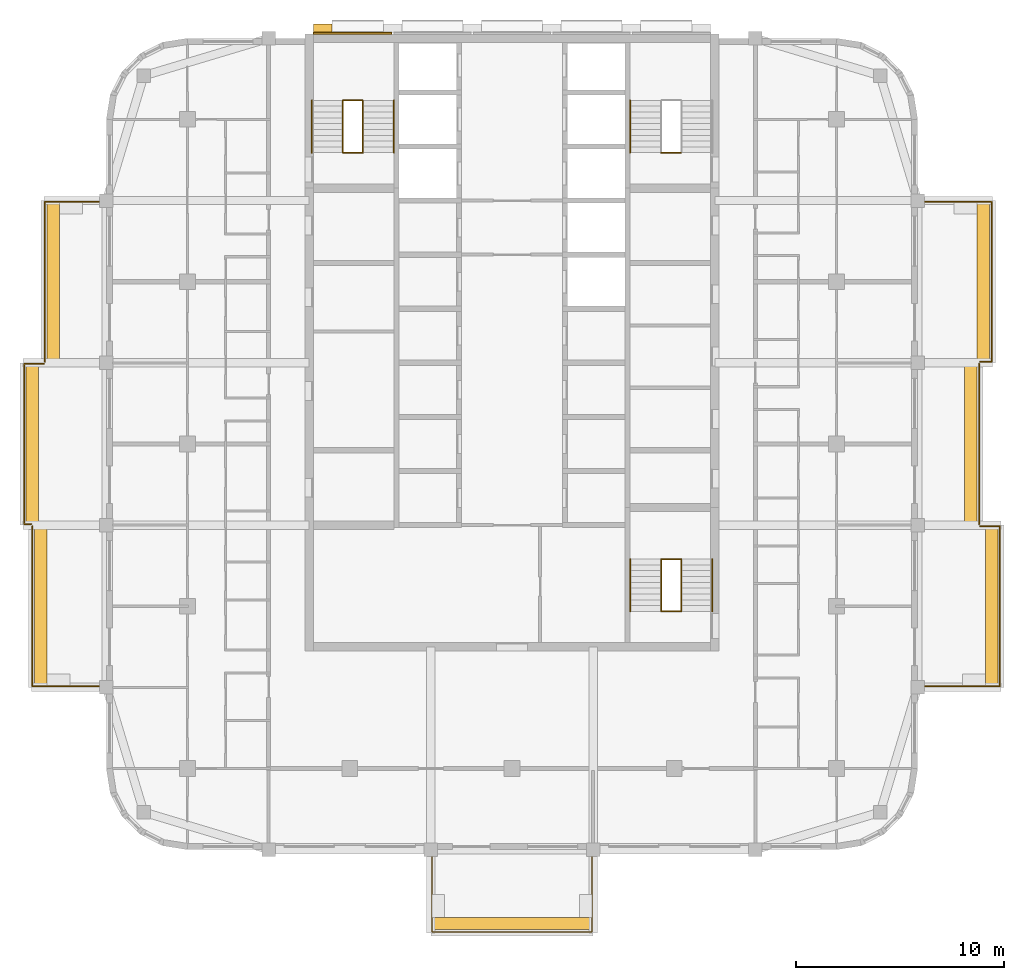
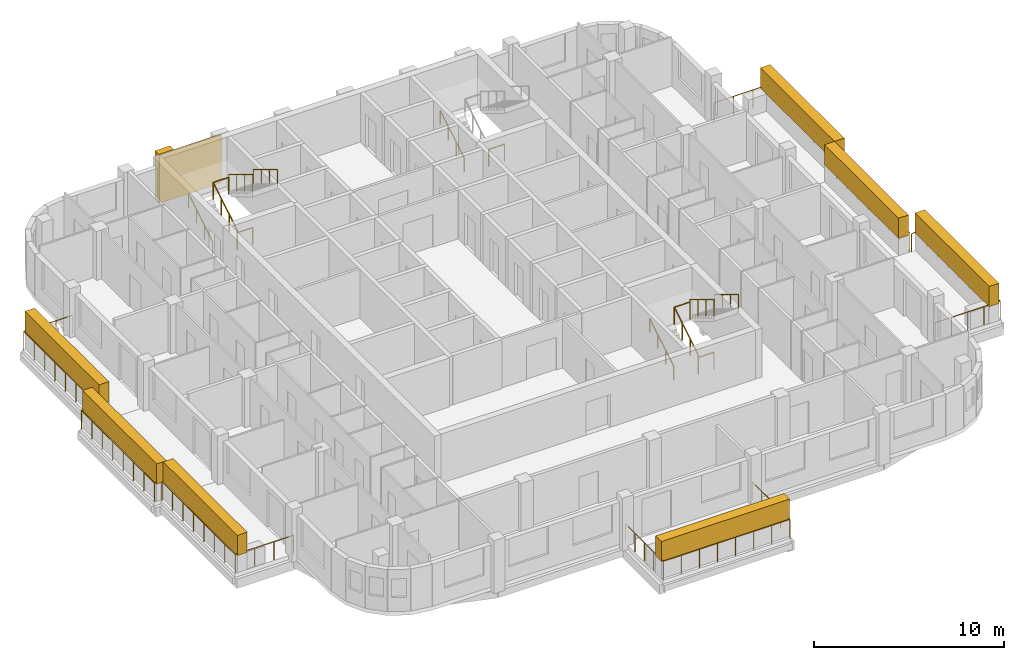
# One storey, part 12 of 13: 21 railings, 9 coverings, 3 elements without a shape of their own.
"""IFC4 building model written with IfcOpenShell, lengths in metres."""

from ifc_helpers import new_model, si_unit, direction, frame, origin, origin_2d, place, context, subcontext, project, spatial, rectangle, circle, extrude, material, layer, layer_set, type_object, element, aggregate, save


model = new_model("IFC4")

# Units and contexts
model_context = context("Model", 3, precision=1e-05, world=origin(), true_north=direction((0.0, 1.0)))
body_context = subcontext(model_context, "Body", "Model", "MODEL_VIEW")
ifc_project = project(units=[si_unit("LENGTHUNIT", "METRE"), si_unit("AREAUNIT", "SQUARE_METRE"), si_unit("VOLUMEUNIT", "CUBIC_METRE"), si_unit("PLANEANGLEUNIT", "RADIAN"), si_unit("MASSUNIT", "GRAM", prefix="KILO")], contexts=[model_context])

# Site, building, storey
site_placement = place(None, origin())
site = spatial("IfcSite", under=ifc_project, at=site_placement, CompositionType="ELEMENT")
building_placement = place(site_placement, origin())
building = spatial("IfcBuilding", under=site, at=building_placement, Name="Ludao Terraces", CompositionType="ELEMENT")
storey_placement = place(building_placement, frame((0.0, 0.0, 249.39990234375)))
storey = spatial("IfcBuildingStorey", under=building, at=storey_placement, Name="L68", CompositionType="ELEMENT", Elevation=249.39990234375)

# Railings
ifc_material_1 = material(Name="Stainless steel 304", Category="steel")
railing_type_1 = type_object("IfcRailingType", Name="ENV Balcony glass guard 1200", PredefinedType="GUARDRAIL", material=ifc_material_1)
railing_1_placement = place(storey_placement, frame((81.14990234375, 45.5, 0.0)))
element("IfcRailing", 1, at=railing_1_placement, inside=storey, type_object=railing_type_1, Name="Balcony guard L68 S1", PredefinedType="GUARDRAIL", context=body_context, shape_type="SweptSolid", body=[
    extrude(circle(Radius=0.02392578125, at=origin_2d()), frame((0.0, 0.0, 1.17578125), z_axis=(0.0, -1.0, 0.0), x_axis=(1.0, 0.0, 0.0)), (0.0, 0.0, 1.0), 3.949951171875),
    extrude(circle(Radius=0.02392578125, at=origin_2d()), frame((0.0, -3.949951171875, 1.17578125), z_axis=(1.0, 0.0, 0.0), x_axis=(0.0, 1.0, 0.0)), (0.0, 0.0, 1.0), 7.7001953125),
    extrude(circle(Radius=0.02392578125, at=origin_2d()), frame((7.7001953125, -3.949951171875, 1.17578125), z_axis=(0.0, 1.0, 0.0), x_axis=(-1.0, 0.0, 0.0)), (0.0, 0.0, 1.0), 3.949951171875),
    extrude(circle(Radius=0.02099609375, at=origin_2d()), origin(), (0.0, 0.0, 1.0), 1.15185546875),
    extrude(circle(Radius=0.02099609375, at=origin_2d()), frame((0.0, -0.987548828125, 0.0)), (0.0, 0.0, 1.0), 1.15185546875),
    extrude(circle(Radius=0.02099609375, at=origin_2d()), frame((0.0, -1.97509765625, 0.0)), (0.0, 0.0, 1.0), 1.15185546875),
    extrude(circle(Radius=0.02099609375, at=origin_2d()), frame((0.0, -2.96240234375, 0.0)), (0.0, 0.0, 1.0), 1.15185546875),
    extrude(circle(Radius=0.02099609375, at=origin_2d()), frame((0.0, -3.949951171875, 0.0)), (0.0, 0.0, 1.0), 1.15185546875),
    extrude(circle(Radius=0.02099609375, at=origin_2d()), frame((1.10009765625, -3.949951171875, 0.0)), (0.0, 0.0, 1.0), 1.15185546875),
    extrude(circle(Radius=0.02099609375, at=origin_2d()), frame((2.199951171875, -3.949951171875, 0.0)), (0.0, 0.0, 1.0), 1.15185546875),
    extrude(circle(Radius=0.02099609375, at=origin_2d()), frame((3.300048828125, -3.949951171875, 0.0)), (0.0, 0.0, 1.0), 1.15185546875),
    extrude(circle(Radius=0.02099609375, at=origin_2d()), frame((4.400146484375, -3.949951171875, 0.0)), (0.0, 0.0, 1.0), 1.15185546875),
    extrude(circle(Radius=0.02099609375, at=origin_2d()), frame((5.500244140625, -3.949951171875, 0.0)), (0.0, 0.0, 1.0), 1.15185546875),
    extrude(circle(Radius=0.02099609375, at=origin_2d()), frame((6.60009765625, -3.949951171875, 0.0)), (0.0, 0.0, 1.0), 1.15185546875),
    extrude(circle(Radius=0.02099609375, at=origin_2d()), frame((7.7001953125, -3.949951171875, 0.0)), (0.0, 0.0, 1.0), 1.15185546875),
    extrude(circle(Radius=0.02099609375, at=origin_2d()), frame((7.7001953125, -2.96240234375, 0.0)), (0.0, 0.0, 1.0), 1.15185546875),
    extrude(circle(Radius=0.02099609375, at=origin_2d()), frame((7.7001953125, -1.97509765625, 0.0)), (0.0, 0.0, 1.0), 1.15185546875),
    extrude(circle(Radius=0.02099609375, at=origin_2d()), frame((7.7001953125, -0.987548828125, 0.0)), (0.0, 0.0, 1.0), 1.15185546875),
    extrude(circle(Radius=0.02099609375, at=origin_2d()), frame((7.7001953125, 0.0, 0.0)), (0.0, 0.0, 1.0), 1.15185546875),
])
railing_2_placement = place(storey_placement, frame((104.5, 53.35009765625, 0.0)))
element("IfcRailing", 2, at=railing_2_placement, inside=storey, type_object=railing_type_1, Name="Balcony guard L68 E1", PredefinedType="GUARDRAIL", context=body_context, shape_type="SweptSolid", body=[
    extrude(circle(Radius=0.02392578125, at=origin_2d()), frame((0.0, 0.0, 1.17578125), z_axis=(1.0, 0.0, 0.0), x_axis=(0.0, 1.0, 0.0)), (0.0, 0.0, 1.0), 3.949951171875),
    extrude(circle(Radius=0.02392578125, at=origin_2d()), frame((3.949951171875, 0.0, 1.17578125), z_axis=(0.0, 1.0, 0.0), x_axis=(-1.0, 0.0, 0.0)), (0.0, 0.0, 1.0), 7.699951171875),
    extrude(circle(Radius=0.02392578125, at=origin_2d()), frame((3.949951171875, 7.699951171875, 1.17578125), z_axis=(-1.0, 0.0, 0.0), x_axis=(0.0, -1.0, 0.0)), (0.0, 0.0, 1.0), 0.949951171875),
    extrude(circle(Radius=0.02099609375, at=origin_2d()), origin(), (0.0, 0.0, 1.0), 1.15185546875),
    extrude(circle(Radius=0.02099609375, at=origin_2d()), frame((0.987548828125, 0.0, 0.0)), (0.0, 0.0, 1.0), 1.15185546875),
    extrude(circle(Radius=0.02099609375, at=origin_2d()), frame((1.97509765625, 0.0, 0.0)), (0.0, 0.0, 1.0), 1.15185546875),
    extrude(circle(Radius=0.02099609375, at=origin_2d()), frame((2.96240234375, 0.0, 0.0)), (0.0, 0.0, 1.0), 1.15185546875),
    extrude(circle(Radius=0.02099609375, at=origin_2d()), frame((3.949951171875, 0.0, 0.0)), (0.0, 0.0, 1.0), 1.15185546875),
    extrude(circle(Radius=0.02099609375, at=origin_2d()), frame((3.949951171875, 1.10009765625, 0.0)), (0.0, 0.0, 1.0), 1.15185546875),
    extrude(circle(Radius=0.02099609375, at=origin_2d()), frame((3.949951171875, 2.199951171875, 0.0)), (0.0, 0.0, 1.0), 1.15185546875),
    extrude(circle(Radius=0.02099609375, at=origin_2d()), frame((3.949951171875, 3.300048828125, 0.0)), (0.0, 0.0, 1.0), 1.15185546875),
    extrude(circle(Radius=0.02099609375, at=origin_2d()), frame((3.949951171875, 4.39990234375, 0.0)), (0.0, 0.0, 1.0), 1.15185546875),
    extrude(circle(Radius=0.02099609375, at=origin_2d()), frame((3.949951171875, 5.5, 0.0)), (0.0, 0.0, 1.0), 1.15185546875),
    extrude(circle(Radius=0.02099609375, at=origin_2d()), frame((3.949951171875, 6.599853515625, 0.0)), (0.0, 0.0, 1.0), 1.15185546875),
    extrude(circle(Radius=0.02099609375, at=origin_2d()), frame((3.949951171875, 7.699951171875, 0.0)), (0.0, 0.0, 1.0), 1.15185546875),
    extrude(circle(Radius=0.02099609375, at=origin_2d()), frame((3.0, 7.699951171875, 0.0)), (0.0, 0.0, 1.0), 1.15185546875),
])
railing_3_placement = place(storey_placement, frame((107.449951171875, 61.14990234375, 0.0)))
element("IfcRailing", 3, at=railing_3_placement, inside=storey, type_object=railing_type_1, Name="Balcony guard L68 E2", PredefinedType="GUARDRAIL", context=body_context, shape_type="SweptSolid", body=[
    extrude(circle(Radius=0.02392578125, at=origin_2d()), frame((0.0, 0.0, 1.17578125), z_axis=(0.0, 1.0, 0.0), x_axis=(-1.0, 0.0, 0.0)), (0.0, 0.0, 1.0), 7.7001953125),
    extrude(circle(Radius=0.02099609375, at=origin_2d()), origin(), (0.0, 0.0, 1.0), 1.15185546875),
    extrude(circle(Radius=0.02099609375, at=origin_2d()), frame((0.0, 1.10009765625, 0.0)), (0.0, 0.0, 1.0), 1.15185546875),
    extrude(circle(Radius=0.02099609375, at=origin_2d()), frame((0.0, 2.199951171875, 0.0)), (0.0, 0.0, 1.0), 1.15185546875),
    extrude(circle(Radius=0.02099609375, at=origin_2d()), frame((0.0, 3.300048828125, 0.0)), (0.0, 0.0, 1.0), 1.15185546875),
    extrude(circle(Radius=0.02099609375, at=origin_2d()), frame((0.0, 4.400146484375, 0.0)), (0.0, 0.0, 1.0), 1.15185546875),
    extrude(circle(Radius=0.02099609375, at=origin_2d()), frame((0.0, 5.500244140625, 0.0)), (0.0, 0.0, 1.0), 1.15185546875),
    extrude(circle(Radius=0.02099609375, at=origin_2d()), frame((0.0, 6.60009765625, 0.0)), (0.0, 0.0, 1.0), 1.15185546875),
    extrude(circle(Radius=0.02099609375, at=origin_2d()), frame((0.0, 7.7001953125, 0.0)), (0.0, 0.0, 1.0), 1.15185546875),
])
railing_4_placement = place(storey_placement, frame((107.5, 68.949951171875, 0.0)))
element("IfcRailing", 4, at=railing_4_placement, inside=storey, type_object=railing_type_1, Name="Balcony guard L68 E3", PredefinedType="GUARDRAIL", context=body_context, shape_type="SweptSolid", body=[
    extrude(circle(Radius=0.02392578125, at=origin_2d()), frame((0.0, 0.0, 1.17578125), z_axis=(1.0, 0.0, 0.0), x_axis=(0.0, 1.0, 0.0)), (0.0, 0.0, 1.0), 0.550048828125),
    extrude(circle(Radius=0.02392578125, at=origin_2d()), frame((0.550048828125, 0.0, 1.17578125), z_axis=(0.0, 1.0, 0.0), x_axis=(-1.0, 0.0, 0.0)), (0.0, 0.0, 1.0), 7.699951171875),
    extrude(circle(Radius=0.02392578125, at=origin_2d()), frame((0.550048828125, 7.699951171875, 1.17578125), z_axis=(-1.0, 0.0, 0.0), x_axis=(0.0, -1.0, 0.0)), (0.0, 0.0, 1.0), 3.550048828125),
    extrude(circle(Radius=0.02099609375, at=origin_2d()), origin(), (0.0, 0.0, 1.0), 1.15185546875),
    extrude(circle(Radius=0.02099609375, at=origin_2d()), frame((0.550048828125, 0.0, 0.0)), (0.0, 0.0, 1.0), 1.15185546875),
    extrude(circle(Radius=0.02099609375, at=origin_2d()), frame((0.550048828125, 1.10009765625, 0.0)), (0.0, 0.0, 1.0), 1.15185546875),
    extrude(circle(Radius=0.02099609375, at=origin_2d()), frame((0.550048828125, 2.199951171875, 0.0)), (0.0, 0.0, 1.0), 1.15185546875),
    extrude(circle(Radius=0.02099609375, at=origin_2d()), frame((0.550048828125, 3.300048828125, 0.0)), (0.0, 0.0, 1.0), 1.15185546875),
    extrude(circle(Radius=0.02099609375, at=origin_2d()), frame((0.550048828125, 4.39990234375, 0.0)), (0.0, 0.0, 1.0), 1.15185546875),
    extrude(circle(Radius=0.02099609375, at=origin_2d()), frame((0.550048828125, 5.5, 0.0)), (0.0, 0.0, 1.0), 1.15185546875),
    extrude(circle(Radius=0.02099609375, at=origin_2d()), frame((0.550048828125, 6.599853515625, 0.0)), (0.0, 0.0, 1.0), 1.15185546875),
    extrude(circle(Radius=0.02099609375, at=origin_2d()), frame((0.550048828125, 7.699951171875, 0.0)), (0.0, 0.0, 1.0), 1.15185546875),
    extrude(circle(Radius=0.02099609375, at=origin_2d()), frame((-0.63330078125, 7.699951171875, 0.0)), (0.0, 0.0, 1.0), 1.15185546875),
    extrude(circle(Radius=0.02099609375, at=origin_2d()), frame((-1.816650390625, 7.699951171875, 0.0)), (0.0, 0.0, 1.0), 1.15185546875),
    extrude(circle(Radius=0.02099609375, at=origin_2d()), frame((-3.0, 7.699951171875, 0.0)), (0.0, 0.0, 1.0), 1.15185546875),
])
railing_5_placement = place(storey_placement, frame((65.5, 53.35009765625, 0.0)))
element("IfcRailing", 5, at=railing_5_placement, inside=storey, type_object=railing_type_1, Name="Balcony guard L68 W1", PredefinedType="GUARDRAIL", context=body_context, shape_type="SweptSolid", body=[
    extrude(circle(Radius=0.02392578125, at=origin_2d()), frame((0.0, 0.0, 1.17578125), z_axis=(-1.0, 0.0, 0.0), x_axis=(0.0, -1.0, 0.0)), (0.0, 0.0, 1.0), 3.550048828125),
    extrude(circle(Radius=0.02392578125, at=origin_2d()), frame((-3.550048828125, 0.0, 1.17578125), z_axis=(0.0, 1.0, 0.0), x_axis=(-1.0, 0.0, 0.0)), (0.0, 0.0, 1.0), 7.699951171875),
    extrude(circle(Radius=0.02099609375, at=origin_2d()), origin(), (0.0, 0.0, 1.0), 1.15185546875),
    extrude(circle(Radius=0.02099609375, at=origin_2d()), frame((-1.183349609375, 0.0, 0.0)), (0.0, 0.0, 1.0), 1.15185546875),
    extrude(circle(Radius=0.02099609375, at=origin_2d()), frame((-2.36669921875, 0.0, 0.0)), (0.0, 0.0, 1.0), 1.15185546875),
    extrude(circle(Radius=0.02099609375, at=origin_2d()), frame((-3.550048828125, 0.0, 0.0)), (0.0, 0.0, 1.0), 1.15185546875),
    extrude(circle(Radius=0.02099609375, at=origin_2d()), frame((-3.550048828125, 1.10009765625, 0.0)), (0.0, 0.0, 1.0), 1.15185546875),
    extrude(circle(Radius=0.02099609375, at=origin_2d()), frame((-3.550048828125, 2.199951171875, 0.0)), (0.0, 0.0, 1.0), 1.15185546875),
    extrude(circle(Radius=0.02099609375, at=origin_2d()), frame((-3.550048828125, 3.300048828125, 0.0)), (0.0, 0.0, 1.0), 1.15185546875),
    extrude(circle(Radius=0.02099609375, at=origin_2d()), frame((-3.550048828125, 4.39990234375, 0.0)), (0.0, 0.0, 1.0), 1.15185546875),
    extrude(circle(Radius=0.02099609375, at=origin_2d()), frame((-3.550048828125, 5.5, 0.0)), (0.0, 0.0, 1.0), 1.15185546875),
    extrude(circle(Radius=0.02099609375, at=origin_2d()), frame((-3.550048828125, 6.599853515625, 0.0)), (0.0, 0.0, 1.0), 1.15185546875),
    extrude(circle(Radius=0.02099609375, at=origin_2d()), frame((-3.550048828125, 7.699951171875, 0.0)), (0.0, 0.0, 1.0), 1.15185546875),
])
railing_6_placement = place(storey_placement, frame((61.89990234375, 61.14990234375, 0.0)))
element("IfcRailing", 6, at=railing_6_placement, inside=storey, type_object=railing_type_1, Name="Balcony guard L68 W2", PredefinedType="GUARDRAIL", context=body_context, shape_type="SweptSolid", body=[
    extrude(circle(Radius=0.02392578125, at=origin_2d()), frame((0.0, 0.0, 1.17578125), z_axis=(-1.0, 0.0, 0.0), x_axis=(0.0, -1.0, 0.0)), (0.0, 0.0, 1.0), 0.349853515625),
    extrude(circle(Radius=0.02392578125, at=origin_2d()), frame((-0.349853515625, 0.0, 1.17578125), z_axis=(0.0, 1.0, 0.0), x_axis=(-1.0, 0.0, 0.0)), (0.0, 0.0, 1.0), 7.7001953125),
    extrude(circle(Radius=0.02392578125, at=origin_2d()), frame((-0.349853515625, 7.7001953125, 1.17578125), z_axis=(1.0, 0.0, 0.0), x_axis=(0.0, 1.0, 0.0)), (0.0, 0.0, 1.0), 0.949951171875),
    extrude(circle(Radius=0.02099609375, at=origin_2d()), origin(), (0.0, 0.0, 1.0), 1.15185546875),
    extrude(circle(Radius=0.02099609375, at=origin_2d()), frame((-0.349853515625, 0.0, 0.0)), (0.0, 0.0, 1.0), 1.15185546875),
    extrude(circle(Radius=0.02099609375, at=origin_2d()), frame((-0.349853515625, 1.10009765625, 0.0)), (0.0, 0.0, 1.0), 1.15185546875),
    extrude(circle(Radius=0.02099609375, at=origin_2d()), frame((-0.349853515625, 2.199951171875, 0.0)), (0.0, 0.0, 1.0), 1.15185546875),
    extrude(circle(Radius=0.02099609375, at=origin_2d()), frame((-0.349853515625, 3.300048828125, 0.0)), (0.0, 0.0, 1.0), 1.15185546875),
    extrude(circle(Radius=0.02099609375, at=origin_2d()), frame((-0.349853515625, 4.400146484375, 0.0)), (0.0, 0.0, 1.0), 1.15185546875),
    extrude(circle(Radius=0.02099609375, at=origin_2d()), frame((-0.349853515625, 5.500244140625, 0.0)), (0.0, 0.0, 1.0), 1.15185546875),
    extrude(circle(Radius=0.02099609375, at=origin_2d()), frame((-0.349853515625, 6.60009765625, 0.0)), (0.0, 0.0, 1.0), 1.15185546875),
    extrude(circle(Radius=0.02099609375, at=origin_2d()), frame((-0.349853515625, 7.7001953125, 0.0)), (0.0, 0.0, 1.0), 1.15185546875),
    extrude(circle(Radius=0.02099609375, at=origin_2d()), frame((0.60009765625, 7.7001953125, 0.0)), (0.0, 0.0, 1.0), 1.15185546875),
])
railing_7_placement = place(storey_placement, frame((62.550048828125, 68.949951171875, 0.0)))
element("IfcRailing", 7, at=railing_7_placement, inside=storey, type_object=railing_type_1, Name="Balcony guard L68 W3", PredefinedType="GUARDRAIL", context=body_context, shape_type="SweptSolid", body=[
    extrude(circle(Radius=0.02392578125, at=origin_2d()), frame((0.0, 0.0, 1.17578125), z_axis=(0.0, 1.0, 0.0), x_axis=(-1.0, 0.0, 0.0)), (0.0, 0.0, 1.0), 7.699951171875),
    extrude(circle(Radius=0.02392578125, at=origin_2d()), frame((0.0, 7.699951171875, 1.17578125), z_axis=(1.0, 0.0, 0.0), x_axis=(0.0, 1.0, 0.0)), (0.0, 0.0, 1.0), 2.949951171875),
    extrude(circle(Radius=0.02099609375, at=origin_2d()), origin(), (0.0, 0.0, 1.0), 1.15185546875),
    extrude(circle(Radius=0.02099609375, at=origin_2d()), frame((0.0, 1.10009765625, 0.0)), (0.0, 0.0, 1.0), 1.15185546875),
    extrude(circle(Radius=0.02099609375, at=origin_2d()), frame((0.0, 2.199951171875, 0.0)), (0.0, 0.0, 1.0), 1.15185546875),
    extrude(circle(Radius=0.02099609375, at=origin_2d()), frame((0.0, 3.300048828125, 0.0)), (0.0, 0.0, 1.0), 1.15185546875),
    extrude(circle(Radius=0.02099609375, at=origin_2d()), frame((0.0, 4.39990234375, 0.0)), (0.0, 0.0, 1.0), 1.15185546875),
    extrude(circle(Radius=0.02099609375, at=origin_2d()), frame((0.0, 5.5, 0.0)), (0.0, 0.0, 1.0), 1.15185546875),
    extrude(circle(Radius=0.02099609375, at=origin_2d()), frame((0.0, 6.599853515625, 0.0)), (0.0, 0.0, 1.0), 1.15185546875),
    extrude(circle(Radius=0.02099609375, at=origin_2d()), frame((0.0, 7.699951171875, 0.0)), (0.0, 0.0, 1.0), 1.15185546875),
    extrude(circle(Radius=0.02099609375, at=origin_2d()), frame((0.9833984375, 7.699951171875, 0.0)), (0.0, 0.0, 1.0), 1.15185546875),
    extrude(circle(Radius=0.02099609375, at=origin_2d()), frame((1.966552734375, 7.699951171875, 0.0)), (0.0, 0.0, 1.0), 1.15185546875),
    extrude(circle(Radius=0.02099609375, at=origin_2d()), frame((2.949951171875, 7.699951171875, 0.0)), (0.0, 0.0, 1.0), 1.15185546875),
])

# Coverings
ifc_material_2 = material(Name="Granite cladding", Category="masonry")
ifc_layer_1 = layer(ifc_material_2, 0.39990234375)
ifc_layer_set_1 = layer_set([ifc_layer_1], Name="ENV Core pilaster stone 400")
covering_type_1 = type_object("IfcCoveringType", Name="ENV Core pilaster stone 400", PredefinedType="CLADDING", material=ifc_layer_set_1)
covering_1_placement = place(storey_placement, frame((75.89990234375, 84.97998046875, 0.0), z_axis=(0.0, 0.0, 1.0), x_axis=(1.0, 0.0, 0.0)))
element("IfcCovering", 8, at=covering_1_placement, inside=storey, type_object=covering_type_1, Name="CC-L68-PIL1", PredefinedType="CLADDING", context=body_context, shape_type="SweptSolid", body=[
    extrude(rectangle(XDim=0.89990234375, YDim=0.39990234375, at=origin_2d()), origin(), (0.0, 0.0, 1.0), 3.10009765625),
])
ifc_layer_2 = layer(ifc_material_2, 0.080078125)
ifc_layer_set_2 = layer_set([ifc_layer_2], Name="ENV Core stone cladding panel 80")
covering_type_2 = type_object("IfcCoveringType", Name="ENV Core stone cladding panel 80", PredefinedType="CLADDING", material=ifc_layer_set_2)
covering_2_placement = place(storey_placement, frame((77.3349609375, 84.739990234375, 0.0), z_axis=(0.0, 0.0, 1.0), x_axis=(1.0, 0.0, 0.0)))
element("IfcCovering", 9, at=covering_2_placement, inside=storey, type_object=covering_type_2, Name="CC-L68-CORE1", PredefinedType="CLADDING", context=body_context, shape_type="SweptSolid", body=[
    extrude(rectangle(XDim=3.77001953125, YDim=0.080078125, at=origin_2d()), origin(), (0.0, 0.0, 1.0), 3.10009765625),
])
ifc_material_3 = material(Name="Planting")
ifc_layer_3 = layer(ifc_material_3, 0.60009765625)
ifc_layer_set_3 = layer_set([ifc_layer_3], Name="ENV Planting hedge 600x1300")
covering_type_3 = type_object("IfcCoveringType", Name="ENV Planting hedge 600x1300", PredefinedType="USERDEFINED", material=ifc_layer_set_3)
covering_3_placement = place(storey_placement, frame((85.0, 41.949951171875, 1.10009765625), z_axis=(0.0, 0.0, 1.0), x_axis=(1.0, 0.0, 0.0)))
element("IfcCovering", 10, at=covering_3_placement, inside=storey, type_object=covering_type_3, Name="Planting hedge L68-S1", ObjectType="PLANTING", PredefinedType="USERDEFINED", context=body_context, shape_type="SweptSolid", body=[
    extrude(rectangle(XDim=7.800048828125, YDim=0.60009765625, at=origin_2d()), origin(), (0.0, 0.0, 1.0), 1.300048828125),
])
for number, where, z_axis, x_axis, name in (
    (11, (108.050048828125, 57.199951171875, 1.10009765625), (0.0, 0.0, 1.0), (1.0, 0.0, 0.0), "Planting hedge L68-E1"),
    (12, (107.050048828125, 65.0, 1.10009765625), (0.0, 0.0, 1.0), (1.0, 0.0, 0.0), "Planting hedge L68-E2"),
    (13, (107.64990234375, 72.800048828125, 1.10009765625), (0.0, 0.0, 1.0), (1.0, 0.0, 0.0), "Planting hedge L68-E3"),
    (14, (62.35009765625, 57.199951171875, 1.10009765625), (0.0, 0.0, 1.0), (1.0, 0.0, 0.0), "Planting hedge L68-W1"),
    (15, (61.949951171875, 65.0, 1.10009765625), (0.0, 0.0, 1.0), (1.0, 0.0, 0.0), "Planting hedge L68-W2"),
    (16, (62.949951171875, 72.800048828125, 1.10009765625), (0.0, 0.0, 1.0), (1.0, 0.0, 0.0), "Planting hedge L68-W3"),
):
    element("IfcCovering", number, at=place(storey_placement, frame(where, z_axis=z_axis, x_axis=x_axis)), inside=storey, type_object=covering_type_3, Name=name, ObjectType="PLANTING", PredefinedType="USERDEFINED", context=body_context, shape_type="SweptSolid", body=[
        extrude(rectangle(XDim=0.60009765625, YDim=7.800048828125, at=origin_2d()), origin(), (0.0, 0.0, 1.0), 1.300048828125),
    ])

# Stair, railings
ifc_material_4 = material(Name="Concrete C40", Category="concrete")
stair_type = type_object("IfcStairType", Name="INT Stair", PredefinedType="HALF_TURN_STAIR", material=ifc_material_4)
stair_1_placement = place(storey_placement, origin())
stair_1 = element("IfcStair", 17, at=stair_1_placement, inside=storey, type_object=stair_type, Name="EXIT STAIR 1", PredefinedType="HALF_TURN_STAIR")
railing_type_2 = type_object("IfcRailingType", Name="INT Stair guard 1100", PredefinedType="GUARDRAIL", material=ifc_material_1)
railing_8_placement = place(storey_placement, frame((76.875, 79.0, 0.170166015625)))
railing_8 = element("IfcRailing", 18, at=railing_8_placement, type_object=railing_type_2, Name="ST-L68-S1-R1G", PredefinedType="GUARDRAIL", context=body_context, shape_type="SweptSolid", body=[
    extrude(circle(Radius=0.02392578125, at=origin_2d()), frame((0.0, 0.0, 1.076171875), z_axis=(0.0, 0.85478489116, 0.518982456201), x_axis=(-1.0, 0.0, 0.0)), (0.0, 0.0, 1.0), 2.9482421875),
    extrude(circle(Radius=0.02099609375, at=origin_2d()), origin(), (0.0, 0.0, 1.0), 1.052001953125),
    extrude(circle(Radius=0.02099609375, at=origin_2d()), frame((0.0, 0.840087890625, 0.510009765625)), (0.0, 0.0, 1.0), 1.052001953125),
    extrude(circle(Radius=0.02099609375, at=origin_2d()), frame((0.0, 1.679931640625, 1.02001953125)), (0.0, 0.0, 1.0), 1.052001953125),
    extrude(circle(Radius=0.02099609375, at=origin_2d()), frame((0.0, 2.52001953125, 1.530029296875)), (0.0, 0.0, 1.0), 1.052001953125),
])
railing_9_placement = place(storey_placement, frame((77.824951171875, 81.52001953125, 1.8701171875)))
railing_9 = element("IfcRailing", 19, at=railing_9_placement, type_object=railing_type_2, Name="ST-L68-S1-R2G", PredefinedType="GUARDRAIL", context=body_context, shape_type="SweptSolid", body=[
    extrude(circle(Radius=0.02392578125, at=origin_2d()), frame((0.0, 0.0, 1.076171875), z_axis=(0.0, -0.85478489116, 0.518982456201), x_axis=(1.0, 0.0, 0.0)), (0.0, 0.0, 1.0), 2.9482421875),
    extrude(circle(Radius=0.02099609375, at=origin_2d()), origin(), (0.0, 0.0, 1.0), 1.052001953125),
    extrude(circle(Radius=0.02099609375, at=origin_2d()), frame((0.0, -0.840087890625, 0.510009765625)), (0.0, 0.0, 1.0), 1.052001953125),
    extrude(circle(Radius=0.02099609375, at=origin_2d()), frame((0.0, -1.679931640625, 1.02001953125)), (0.0, 0.0, 1.0), 1.052001953125),
    extrude(circle(Radius=0.02099609375, at=origin_2d()), frame((0.0, -2.52001953125, 1.530029296875)), (0.0, 0.0, 1.0), 1.052001953125),
])
railing_10_placement = place(storey_placement, frame((76.875, 81.52001953125, 1.7001953125)))
railing_10 = element("IfcRailing", 20, at=railing_10_placement, type_object=railing_type_2, Name="ST-L68-S1-E1G", PredefinedType="GUARDRAIL", context=body_context, shape_type="SweptSolid", body=[
    extrude(circle(Radius=0.02392578125, at=origin_2d()), frame((0.0, 0.0, 1.076171875), z_axis=(1.0, 0.0, 0.0), x_axis=(0.0, 1.0, 0.0)), (0.0, 0.0, 1.0), 0.949951171875),
    extrude(circle(Radius=0.02099609375, at=origin_2d()), origin(), (0.0, 0.0, 1.0), 1.052001953125),
    extrude(circle(Radius=0.02099609375, at=origin_2d()), frame((0.949951171875, 0.0, 0.0)), (0.0, 0.0, 1.0), 1.052001953125),
])
railing_11_placement = place(storey_placement, frame((76.875, 79.0, 0.0)))
railing_11 = element("IfcRailing", 21, at=railing_11_placement, type_object=railing_type_2, Name="ST-L68-S1-E2G", PredefinedType="GUARDRAIL", context=body_context, shape_type="SweptSolid", body=[
    extrude(circle(Radius=0.02392578125, at=origin_2d()), frame((0.0, 0.0, 1.076171875), z_axis=(1.0, 0.0, 0.0), x_axis=(0.0, 1.0, 0.0)), (0.0, 0.0, 1.0), 0.949951171875),
    extrude(circle(Radius=0.02099609375, at=origin_2d()), origin(), (0.0, 0.0, 1.0), 1.052001953125),
    extrude(circle(Radius=0.02099609375, at=origin_2d()), frame((0.949951171875, 0.0, 0.0)), (0.0, 0.0, 1.0), 1.052001953125),
])

# Stair, railing
stair_2_placement = place(storey_placement, origin())
stair_2 = element("IfcStair", 22, at=stair_2_placement, inside=storey, type_object=stair_type, Name="EXIT STAIR 2", PredefinedType="HALF_TURN_STAIR")
railing_12_placement = place(storey_placement, frame((92.175048828125, 79.0, 0.0)))
railing_12 = element("IfcRailing", 23, at=railing_12_placement, type_object=railing_type_2, Name="ST-L68-S2-E2G", PredefinedType="GUARDRAIL", context=body_context, shape_type="SweptSolid", body=[
    extrude(circle(Radius=0.02392578125, at=origin_2d()), frame((0.0, 0.0, 1.076171875), z_axis=(1.0, 0.0, 0.0), x_axis=(0.0, 1.0, 0.0)), (0.0, 0.0, 1.0), 0.949951171875),
    extrude(circle(Radius=0.02099609375, at=origin_2d()), origin(), (0.0, 0.0, 1.0), 1.052001953125),
    extrude(circle(Radius=0.02099609375, at=origin_2d()), frame((0.949951171875, 0.0, 0.0)), (0.0, 0.0, 1.0), 1.052001953125),
])

# Stair, railings
stair_3_placement = place(storey_placement, origin())
stair_3 = element("IfcStair", 24, at=stair_3_placement, inside=storey, type_object=stair_type, Name="EXIT STAIR 3", PredefinedType="HALF_TURN_STAIR")
railing_13_placement = place(storey_placement, frame((92.175048828125, 56.949951171875, 0.170166015625)))
railing_13 = element("IfcRailing", 25, at=railing_13_placement, type_object=railing_type_2, Name="ST-L68-S3-R1G", PredefinedType="GUARDRAIL", context=body_context, shape_type="SweptSolid", body=[
    extrude(circle(Radius=0.02392578125, at=origin_2d()), frame((0.0, 0.0, 1.076171875), z_axis=(0.0, 0.85478489116, 0.518982456201), x_axis=(-1.0, 0.0, 0.0)), (0.0, 0.0, 1.0), 2.9482421875),
    extrude(circle(Radius=0.02099609375, at=origin_2d()), origin(), (0.0, 0.0, 1.0), 1.052001953125),
    extrude(circle(Radius=0.02099609375, at=origin_2d()), frame((0.0, 0.840087890625, 0.510009765625)), (0.0, 0.0, 1.0), 1.052001953125),
    extrude(circle(Radius=0.02099609375, at=origin_2d()), frame((0.0, 1.679931640625, 1.02001953125)), (0.0, 0.0, 1.0), 1.052001953125),
    extrude(circle(Radius=0.02099609375, at=origin_2d()), frame((0.0, 2.52001953125, 1.530029296875)), (0.0, 0.0, 1.0), 1.052001953125),
])
railing_14_placement = place(storey_placement, frame((93.125, 59.469970703125, 1.8701171875)))
railing_14 = element("IfcRailing", 26, at=railing_14_placement, type_object=railing_type_2, Name="ST-L68-S3-R2G", PredefinedType="GUARDRAIL", context=body_context, shape_type="SweptSolid", body=[
    extrude(circle(Radius=0.02392578125, at=origin_2d()), frame((0.0, 0.0, 1.076171875), z_axis=(0.0, -0.85478489116, 0.518982456201), x_axis=(1.0, 0.0, 0.0)), (0.0, 0.0, 1.0), 2.9482421875),
    extrude(circle(Radius=0.02099609375, at=origin_2d()), origin(), (0.0, 0.0, 1.0), 1.052001953125),
    extrude(circle(Radius=0.02099609375, at=origin_2d()), frame((0.0, -0.840087890625, 0.510009765625)), (0.0, 0.0, 1.0), 1.052001953125),
    extrude(circle(Radius=0.02099609375, at=origin_2d()), frame((0.0, -1.679931640625, 1.02001953125)), (0.0, 0.0, 1.0), 1.052001953125),
    extrude(circle(Radius=0.02099609375, at=origin_2d()), frame((0.0, -2.52001953125, 1.530029296875)), (0.0, 0.0, 1.0), 1.052001953125),
])
railing_15_placement = place(storey_placement, frame((92.175048828125, 59.469970703125, 1.7001953125)))
railing_15 = element("IfcRailing", 27, at=railing_15_placement, type_object=railing_type_2, Name="ST-L68-S3-E1G", PredefinedType="GUARDRAIL", context=body_context, shape_type="SweptSolid", body=[
    extrude(circle(Radius=0.02392578125, at=origin_2d()), frame((0.0, 0.0, 1.076171875), z_axis=(1.0, 0.0, 0.0), x_axis=(0.0, 1.0, 0.0)), (0.0, 0.0, 1.0), 0.949951171875),
    extrude(circle(Radius=0.02099609375, at=origin_2d()), origin(), (0.0, 0.0, 1.0), 1.052001953125),
    extrude(circle(Radius=0.02099609375, at=origin_2d()), frame((0.949951171875, 0.0, 0.0)), (0.0, 0.0, 1.0), 1.052001953125),
])
railing_16_placement = place(storey_placement, frame((92.175048828125, 56.949951171875, 0.0)))
railing_16 = element("IfcRailing", 28, at=railing_16_placement, type_object=railing_type_2, Name="ST-L68-S3-E2G", PredefinedType="GUARDRAIL", context=body_context, shape_type="SweptSolid", body=[
    extrude(circle(Radius=0.02392578125, at=origin_2d()), frame((0.0, 0.0, 1.076171875), z_axis=(1.0, 0.0, 0.0), x_axis=(0.0, 1.0, 0.0)), (0.0, 0.0, 1.0), 0.949951171875),
    extrude(circle(Radius=0.02099609375, at=origin_2d()), origin(), (0.0, 0.0, 1.0), 1.052001953125),
    extrude(circle(Radius=0.02099609375, at=origin_2d()), frame((0.949951171875, 0.0, 0.0)), (0.0, 0.0, 1.0), 1.052001953125),
])

# Railing
railing_type_3 = type_object("IfcRailingType", Name="INT Stair handrail 900", PredefinedType="HANDRAIL", material=ifc_material_1)
railing_17_placement = place(storey_placement, frame((75.375, 79.0, 0.170166015625)))
railing_17 = element("IfcRailing", 29, at=railing_17_placement, type_object=railing_type_3, Name="ST-L68-S1-R1H", PredefinedType="HANDRAIL", context=body_context, shape_type="SweptSolid", body=[
    extrude(circle(Radius=0.02392578125, at=origin_2d()), frame((0.0, 0.0, 0.8759765625), z_axis=(0.0, 0.85478489116, 0.518982456201), x_axis=(-1.0, 0.0, 0.0)), (0.0, 0.0, 1.0), 2.9482421875),
    extrude(circle(Radius=0.02099609375, at=origin_2d()), origin(), (0.0, 0.0, 1.0), 0.851806640625),
    extrude(circle(Radius=0.02099609375, at=origin_2d()), frame((0.0, 0.840087890625, 0.510009765625)), (0.0, 0.0, 1.0), 0.851806640625),
    extrude(circle(Radius=0.02099609375, at=origin_2d()), frame((0.0, 1.679931640625, 1.02001953125)), (0.0, 0.0, 1.0), 0.851806640625),
    extrude(circle(Radius=0.02099609375, at=origin_2d()), frame((0.0, 2.52001953125, 1.530029296875)), (0.0, 0.0, 1.0), 0.851806640625),
])

railing_18_placement = place(storey_placement, frame((79.324951171875, 81.52001953125, 1.8701171875)))
railing_18 = element("IfcRailing", 30, at=railing_18_placement, type_object=railing_type_3, Name="ST-L68-S1-R2H", PredefinedType="HANDRAIL", context=body_context, shape_type="SweptSolid", body=[
    extrude(circle(Radius=0.02392578125, at=origin_2d()), frame((0.0, 0.0, 0.8759765625), z_axis=(0.0, -0.85478489116, 0.518982456201), x_axis=(1.0, 0.0, 0.0)), (0.0, 0.0, 1.0), 2.9482421875),
    extrude(circle(Radius=0.02099609375, at=origin_2d()), origin(), (0.0, 0.0, 1.0), 0.851806640625),
    extrude(circle(Radius=0.02099609375, at=origin_2d()), frame((0.0, -0.840087890625, 0.510009765625)), (0.0, 0.0, 1.0), 0.851806640625),
    extrude(circle(Radius=0.02099609375, at=origin_2d()), frame((0.0, -1.679931640625, 1.02001953125)), (0.0, 0.0, 1.0), 0.851806640625),
    extrude(circle(Radius=0.02099609375, at=origin_2d()), frame((0.0, -2.52001953125, 1.530029296875)), (0.0, 0.0, 1.0), 0.851806640625),
])

aggregate(stair_1, [railing_8, railing_17, railing_9, railing_18, railing_10, railing_11])

railing_19_placement = place(storey_placement, frame((90.675048828125, 79.0, 0.170166015625)))
railing_19 = element("IfcRailing", 31, at=railing_19_placement, type_object=railing_type_3, Name="ST-L68-S2-R1H", PredefinedType="HANDRAIL", context=body_context, shape_type="SweptSolid", body=[
    extrude(circle(Radius=0.02392578125, at=origin_2d()), frame((0.0, 0.0, 0.8759765625), z_axis=(0.0, 0.85478489116, 0.518982456201), x_axis=(-1.0, 0.0, 0.0)), (0.0, 0.0, 1.0), 2.9482421875),
    extrude(circle(Radius=0.02099609375, at=origin_2d()), origin(), (0.0, 0.0, 1.0), 0.851806640625),
    extrude(circle(Radius=0.02099609375, at=origin_2d()), frame((0.0, 0.840087890625, 0.510009765625)), (0.0, 0.0, 1.0), 0.851806640625),
    extrude(circle(Radius=0.02099609375, at=origin_2d()), frame((0.0, 1.679931640625, 1.02001953125)), (0.0, 0.0, 1.0), 0.851806640625),
    extrude(circle(Radius=0.02099609375, at=origin_2d()), frame((0.0, 2.52001953125, 1.530029296875)), (0.0, 0.0, 1.0), 0.851806640625),
])

aggregate(stair_2, [railing_19, railing_12])

railing_20_placement = place(storey_placement, frame((90.675048828125, 56.949951171875, 0.170166015625)))
railing_20 = element("IfcRailing", 32, at=railing_20_placement, type_object=railing_type_3, Name="ST-L68-S3-R1H", PredefinedType="HANDRAIL", context=body_context, shape_type="SweptSolid", body=[
    extrude(circle(Radius=0.02392578125, at=origin_2d()), frame((0.0, 0.0, 0.8759765625), z_axis=(0.0, 0.85478489116, 0.518982456201), x_axis=(-1.0, 0.0, 0.0)), (0.0, 0.0, 1.0), 2.9482421875),
    extrude(circle(Radius=0.02099609375, at=origin_2d()), origin(), (0.0, 0.0, 1.0), 0.851806640625),
    extrude(circle(Radius=0.02099609375, at=origin_2d()), frame((0.0, 0.840087890625, 0.510009765625)), (0.0, 0.0, 1.0), 0.851806640625),
    extrude(circle(Radius=0.02099609375, at=origin_2d()), frame((0.0, 1.679931640625, 1.02001953125)), (0.0, 0.0, 1.0), 0.851806640625),
    extrude(circle(Radius=0.02099609375, at=origin_2d()), frame((0.0, 2.52001953125, 1.530029296875)), (0.0, 0.0, 1.0), 0.851806640625),
])

railing_21_placement = place(storey_placement, frame((94.625, 59.469970703125, 1.8701171875)))
railing_21 = element("IfcRailing", 33, at=railing_21_placement, type_object=railing_type_3, Name="ST-L68-S3-R2H", PredefinedType="HANDRAIL", context=body_context, shape_type="SweptSolid", body=[
    extrude(circle(Radius=0.02392578125, at=origin_2d()), frame((0.0, 0.0, 0.8759765625), z_axis=(0.0, -0.85478489116, 0.518982456201), x_axis=(1.0, 0.0, 0.0)), (0.0, 0.0, 1.0), 2.9482421875),
    extrude(circle(Radius=0.02099609375, at=origin_2d()), origin(), (0.0, 0.0, 1.0), 0.851806640625),
    extrude(circle(Radius=0.02099609375, at=origin_2d()), frame((0.0, -0.840087890625, 0.510009765625)), (0.0, 0.0, 1.0), 0.851806640625),
    extrude(circle(Radius=0.02099609375, at=origin_2d()), frame((0.0, -1.679931640625, 1.02001953125)), (0.0, 0.0, 1.0), 0.851806640625),
    extrude(circle(Radius=0.02099609375, at=origin_2d()), frame((0.0, -2.52001953125, 1.530029296875)), (0.0, 0.0, 1.0), 0.851806640625),
])

aggregate(stair_3, [railing_13, railing_20, railing_14, railing_21, railing_15, railing_16])

save(model, "model.ifc")
